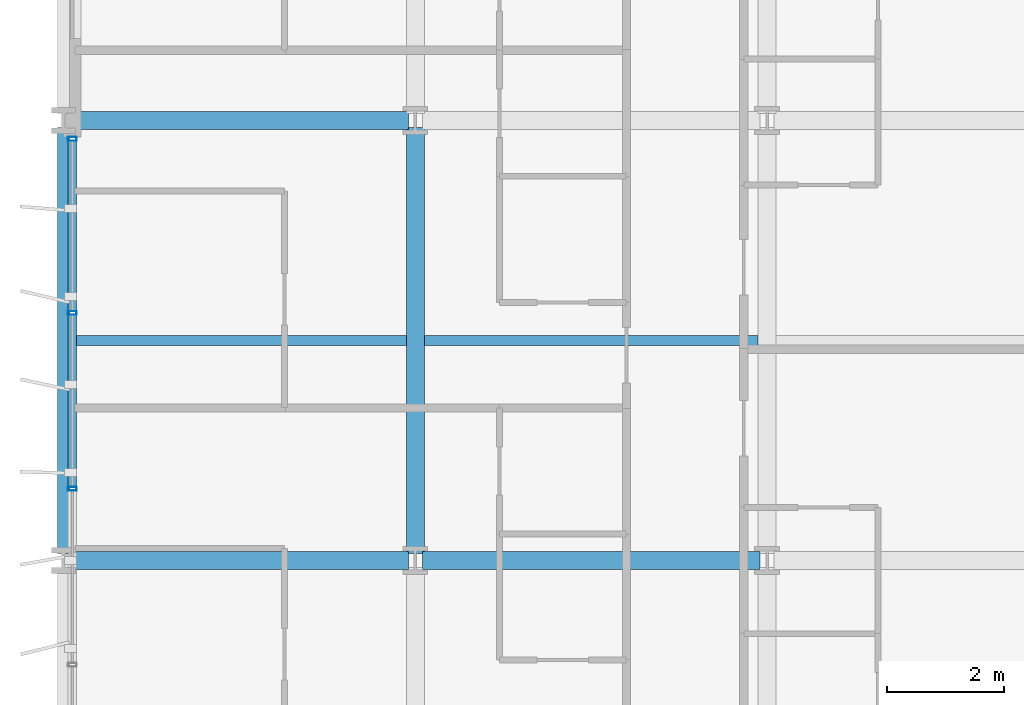
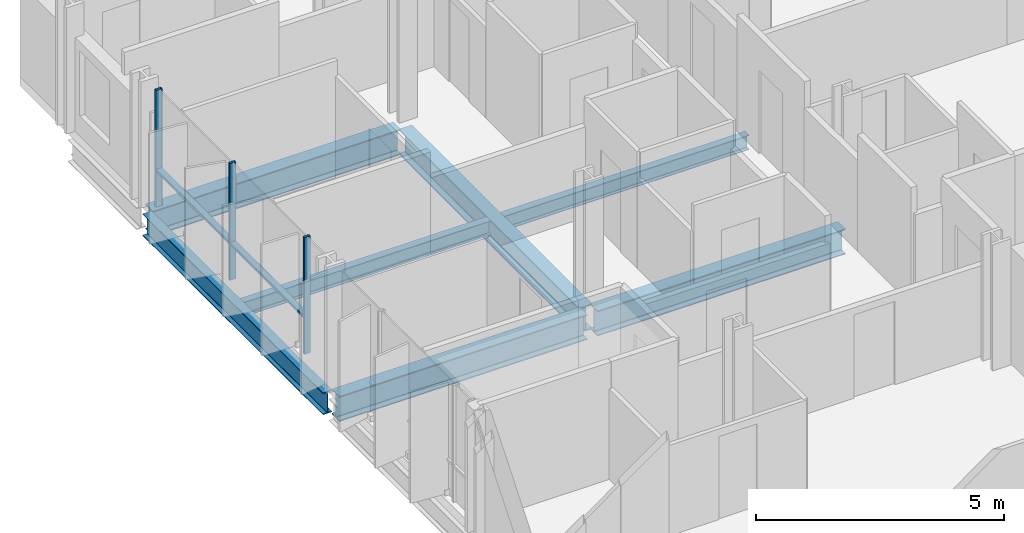
# One storey, part 5 of 39: 7 beams, 5 members, 1 element without a shape of its own.
"""IFC4 building model written with IfcOpenShell, lengths in metres."""

from ifc_helpers import new_model, si_unit, direction, frame, origin, origin_2d, place, context, subcontext, project, spatial, hollow_rectangle, i_section, extrude, material, layer, layer_set, material_profile, profile_set, type_object, element, aggregate, save


model = new_model("IFC4")

# Units and contexts
model_context = context("Model", 3, precision=1e-05, world=origin(), true_north=direction((0.0, 1.0)))
body_context = subcontext(model_context, "Body", "Model", "MODEL_VIEW")
ifc_project = project(units=[si_unit("LENGTHUNIT", "METRE"), si_unit("AREAUNIT", "SQUARE_METRE"), si_unit("VOLUMEUNIT", "CUBIC_METRE"), si_unit("PLANEANGLEUNIT", "RADIAN"), si_unit("MASSUNIT", "GRAM", prefix="KILO")], contexts=[model_context])

# Site, building, storey
site_placement = place(None, origin())
site = spatial("IfcSite", under=ifc_project, at=site_placement, CompositionType="ELEMENT")
building_placement = place(site_placement, origin())
building = spatial("IfcBuilding", under=site, at=building_placement, Name="Brevholm Reach", CompositionType="ELEMENT")
storey_placement = place(building_placement, frame((0.0, 0.0, 34.199951171875)))
storey = spatial("IfcBuildingStorey", under=building, at=storey_placement, Name="L08", CompositionType="ELEMENT", Elevation=34.199951171875)

# Beams
ifc_material_1 = material(Name="Structural Steel S355J2", Category="steel")
ifc_material_profile_1 = material_profile(ifc_material_1, i_section(OverallWidth=0.17138671875, OverallDepth=0.35498046875, WebThickness=0.00732421875, FlangeThickness=0.011474609375, FilletRadius=0.01025390625, at=origin_2d()), Name="UKB 356x171x51")
ifc_profile_set_1 = profile_set([ifc_material_profile_1], Name="Structural Steel S355J2")
beam_type_1 = type_object("IfcBeamType", Name="BM-B356", PredefinedType="BEAM", material=ifc_profile_set_1)
beam_1_placement = place(storey_placement, frame((0.10546875, 19.75, -0.407470703125), z_axis=(1.0, 0.0, 0.0), x_axis=(0.0, 1.0, 0.0)))
element("IfcBeam", 1, at=beam_1_placement, inside=storey, type_object=beam_type_1, Name="L08 Composite Secondary Floor Beam", PredefinedType="BEAM", context=body_context, shape_type="SweptSolid", body=[
    extrude(i_section(OverallWidth=0.17138671875, OverallDepth=0.35498046875, WebThickness=0.00732421875, FlangeThickness=0.011474609375, FilletRadius=0.01025390625, at=origin_2d()), origin(), (0.0, 0.0, 1.0), 5.740966796875),
])
beam_2_placement = place(storey_placement, frame((6.153564453125, 19.75, -0.407470703125), z_axis=(1.0, 0.0, 0.0), x_axis=(0.0, 1.0, 0.0)))
element("IfcBeam", 2, at=beam_2_placement, inside=storey, type_object=beam_type_1, Name="L08 Composite Secondary Floor Beam", PredefinedType="BEAM", context=body_context, shape_type="SweptSolid", body=[
    extrude(i_section(OverallWidth=0.17138671875, OverallDepth=0.35498046875, WebThickness=0.00732421875, FlangeThickness=0.011474609375, FilletRadius=0.01025390625, at=origin_2d()), origin(), (0.0, 0.0, 1.0), 5.69287109375),
])
ifc_material_2 = material(Name="Structural Steel S355J2", Category="steel")
ifc_material_profile_2 = material_profile(ifc_material_2, i_section(OverallWidth=0.210693359375, OverallDepth=0.53955078125, WebThickness=0.01171875, FlangeThickness=0.018798828125, FilletRadius=0.0126953125, at=origin_2d()), Name="UKB 533x210x109")
ifc_profile_set_2 = profile_set([ifc_material_profile_2], Name="Structural Steel S355J2")
beam_type_2 = type_object("IfcBeamType", Name="BM-SP539", PredefinedType="SPANDREL", material=ifc_profile_set_2)
beam_3_placement = place(storey_placement, frame((0.0, 16.1201171875, -0.499755859375), z_axis=(0.0, 1.0, 0.0), x_axis=(-1.0, 0.0, 0.0)))
element("IfcBeam", 3, at=beam_3_placement, inside=storey, type_object=beam_type_2, Name="L08 SP-01B Framing Beam", PredefinedType="SPANDREL", context=body_context, shape_type="SweptSolid", body=[
    extrude(i_section(OverallWidth=0.210693359375, OverallDepth=0.53955078125, WebThickness=0.01171875, FlangeThickness=0.018798828125, FilletRadius=0.0126953125, at=origin_2d()), origin(), (0.0, 0.0, 1.0), 7.259765625),
])
ifc_material_3 = material(Name="Structural Steel S355J2", Category="steel")
ifc_material_profile_3 = material_profile(ifc_material_3, i_section(OverallWidth=0.30712890625, OverallDepth=0.6201171875, WebThickness=0.01416015625, FlangeThickness=0.023681640625, FilletRadius=0.0166015625, at=origin_2d()), Name="UKB 610x305x179")
ifc_profile_set_3 = profile_set([ifc_material_profile_3], Name="Structural Steel S355J2")
beam_type_3 = type_object("IfcBeamType", Name="BM-UKB610H", PredefinedType="USERDEFINED", material=ifc_profile_set_3)
for number, where, z_axis, x_axis, name in (
    (4, (0.1201171875, 16.0, -0.5400390625), (1.0, 0.0, 0.0), (0.0, 1.0, 0.0), "L08 G-06 Framing Beam"),
    (5, (6.1201171875, 16.0, -0.5400390625), (1.0, 0.0, 0.0), (0.0, 1.0, 0.0), "L08 G-06 Framing Beam"),
    (6, (0.1201171875, 23.5, -0.5400390625), (1.0, 0.0, 0.0), (0.0, 1.0, 0.0), "L08 G-06 Framing Beam"),
):
    element("IfcBeam", number, at=place(storey_placement, frame(where, z_axis=z_axis, x_axis=x_axis)), inside=storey, type_object=beam_type_3, Name=name, ObjectType="GIRDER", PredefinedType="USERDEFINED", context=body_context, shape_type="SweptSolid", body=[
        extrude(i_section(OverallWidth=0.30712890625, OverallDepth=0.6201171875, WebThickness=0.01416015625, FlangeThickness=0.023681640625, FilletRadius=0.0166015625, at=origin_2d()), origin(), (0.0, 0.0, 1.0), 5.759765625),
    ])
beam_4_placement = place(storey_placement, frame((6.0, 16.1201171875, -0.5400390625), z_axis=(0.0, 1.0, 0.0), x_axis=(-1.0, 0.0, 0.0)))
element("IfcBeam", 7, at=beam_4_placement, inside=storey, type_object=beam_type_3, Name="L08 G-06 Framing Beam", ObjectType="GIRDER", PredefinedType="USERDEFINED", context=body_context, shape_type="SweptSolid", body=[
    extrude(i_section(OverallWidth=0.30712890625, OverallDepth=0.6201171875, WebThickness=0.01416015625, FlangeThickness=0.023681640625, FilletRadius=0.0166015625, at=origin_2d()), origin(), (0.0, 0.0, 1.0), 7.259765625),
])

# Curtain wall, members
ifc_material_4 = material(Name="Dark Anodised Aluminium 6063-T6 and Solar-Control Glass", Category="aluminium")
ifc_layer = layer(ifc_material_4, 0.14990234375)
ifc_layer_set = layer_set([ifc_layer], Name="Dark Anodised Aluminium 6063-T6 and Solar-Control Glass")
curtain_wall_type = type_object("IfcCurtainWallType", Name="CW-01", PredefinedType="NOTDEFINED", material=ifc_layer_set)
curtain_wall_placement = place(storey_placement, origin())
curtain_wall = element("IfcCurtainWall", 8, at=curtain_wall_placement, inside=storey, type_object=curtain_wall_type, Name="L08 Curtain Wall CW-01", PredefinedType="NOTDEFINED")
ifc_material_5 = material(Name="Dark Anodised Aluminium 6063-T6", Category="aluminium")
ifc_material_profile_4 = material_profile(ifc_material_5, hollow_rectangle(XDim=0.06494140625, YDim=0.14990234375, WallThickness=0.0048828125, InnerFilletRadius=0.0048828125, OuterFilletRadius=0.010009765625, at=origin_2d()), Name="RHS 150x65x5")
ifc_profile_set_4 = profile_set([ifc_material_profile_4], Name="Dark Anodised Aluminium 6063-T6")
member_type_1 = type_object("IfcMemberType", Name="CWM-150", PredefinedType="MULLION", material=ifc_profile_set_4)
member_1_placement = place(storey_placement, frame((0.14990234375, 23.1875, 0.0), z_axis=(0.0, 0.0, 1.0), x_axis=(0.0, -1.0, 0.0)))
member_1 = element("IfcMember", 9, at=member_1_placement, type_object=member_type_1, Name="CM-150 Mullion 1", PredefinedType="MULLION", context=body_context, shape_type="SweptSolid", body=[
    extrude(hollow_rectangle(XDim=0.06494140625, YDim=0.14990234375, WallThickness=0.0048828125, InnerFilletRadius=0.0048828125, OuterFilletRadius=0.010009765625, at=origin_2d()), origin(), (0.0, 0.0, 1.0), 2.8701171875),
])
member_2_placement = place(storey_placement, frame((0.14990234375, 20.219970703125, 0.0), z_axis=(0.0, 0.0, 1.0), x_axis=(0.0, -1.0, 0.0)))
member_2 = element("IfcMember", 10, at=member_2_placement, type_object=member_type_1, Name="CM-150 Mullion 2", PredefinedType="MULLION", context=body_context, shape_type="SweptSolid", body=[
    extrude(hollow_rectangle(XDim=0.06494140625, YDim=0.14990234375, WallThickness=0.0048828125, InnerFilletRadius=0.0048828125, OuterFilletRadius=0.010009765625, at=origin_2d()), origin(), (0.0, 0.0, 1.0), 2.8701171875),
])
member_3_placement = place(storey_placement, frame((0.14990234375, 17.219970703125, 0.0), z_axis=(0.0, 0.0, 1.0), x_axis=(0.0, -1.0, 0.0)))
member_3 = element("IfcMember", 11, at=member_3_placement, type_object=member_type_1, Name="CM-150 Mullion 3", PredefinedType="MULLION", context=body_context, shape_type="SweptSolid", body=[
    extrude(hollow_rectangle(XDim=0.06494140625, YDim=0.14990234375, WallThickness=0.0048828125, InnerFilletRadius=0.0048828125, OuterFilletRadius=0.010009765625, at=origin_2d()), origin(), (0.0, 0.0, 1.0), 2.8701171875),
])
ifc_material_6 = material(Name="Dark Anodised Aluminium 6063-T6", Category="aluminium")
ifc_material_profile_5 = material_profile(ifc_material_6, hollow_rectangle(XDim=0.06494140625, YDim=0.14990234375, WallThickness=0.0048828125, InnerFilletRadius=0.0048828125, OuterFilletRadius=0.010009765625, at=origin_2d()), Name="RHS 150x65x5")
ifc_profile_set_5 = profile_set([ifc_material_profile_5], Name="Dark Anodised Aluminium 6063-T6")
member_type_2 = type_object("IfcMemberType", Name="CWT-150", PredefinedType="NOTDEFINED", material=ifc_profile_set_5)
member_4_placement = place(storey_placement, frame((0.14990234375, 23.155029296875, 0.900146484375), z_axis=(0.0, -1.0, 0.0), x_axis=(0.0, 0.0, 1.0)))
member_4 = element("IfcMember", 12, at=member_4_placement, type_object=member_type_2, Name="CT-150 Transom 1.1", ObjectType="TRANSOM", PredefinedType="USERDEFINED", context=body_context, shape_type="SweptSolid", body=[
    extrude(hollow_rectangle(XDim=0.06494140625, YDim=0.14990234375, WallThickness=0.0048828125, InnerFilletRadius=0.0048828125, OuterFilletRadius=0.010009765625, at=origin_2d()), origin(), (0.0, 0.0, 1.0), 2.902587890625),
])
member_5_placement = place(storey_placement, frame((0.14990234375, 20.1875, 0.900146484375), z_axis=(0.0, -1.0, 0.0), x_axis=(0.0, 0.0, 1.0)))
member_5 = element("IfcMember", 13, at=member_5_placement, type_object=member_type_2, Name="CT-150 Transom 2.1", ObjectType="TRANSOM", PredefinedType="USERDEFINED", context=body_context, shape_type="SweptSolid", body=[
    extrude(hollow_rectangle(XDim=0.06494140625, YDim=0.14990234375, WallThickness=0.0048828125, InnerFilletRadius=0.0048828125, OuterFilletRadius=0.010009765625, at=origin_2d()), origin(), (0.0, 0.0, 1.0), 2.93505859375),
])
aggregate(curtain_wall, [member_1, member_2, member_3, member_4, member_5])

save(model, "model.ifc")
